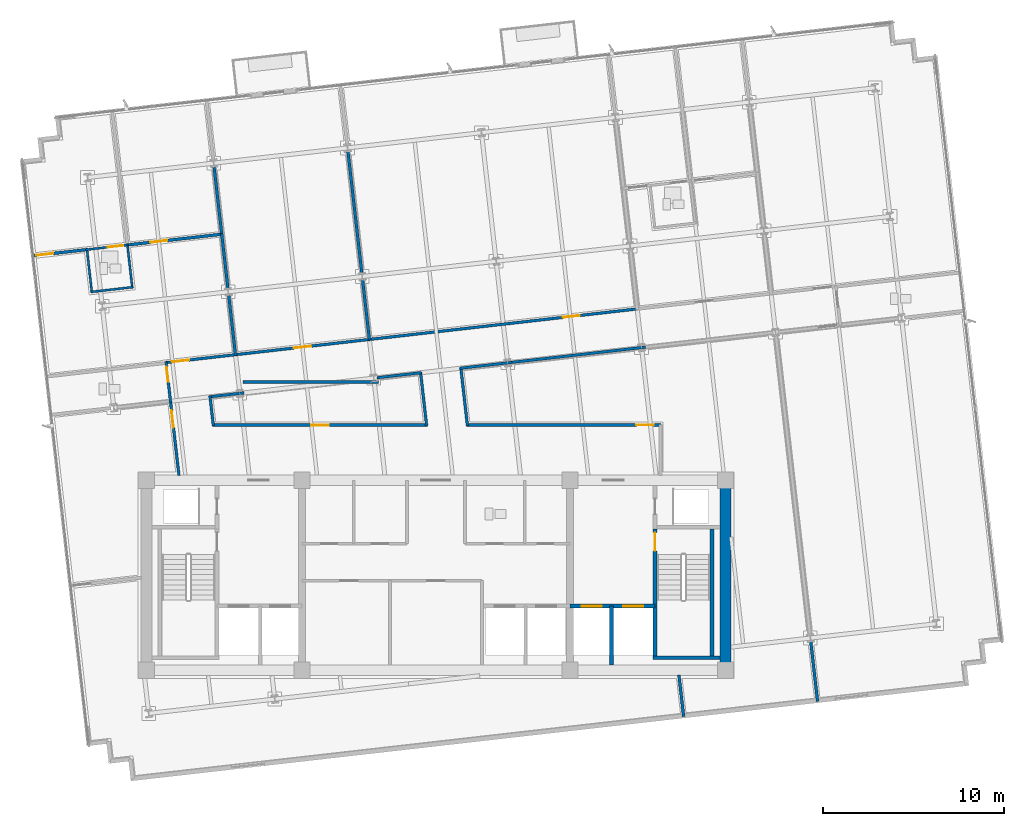
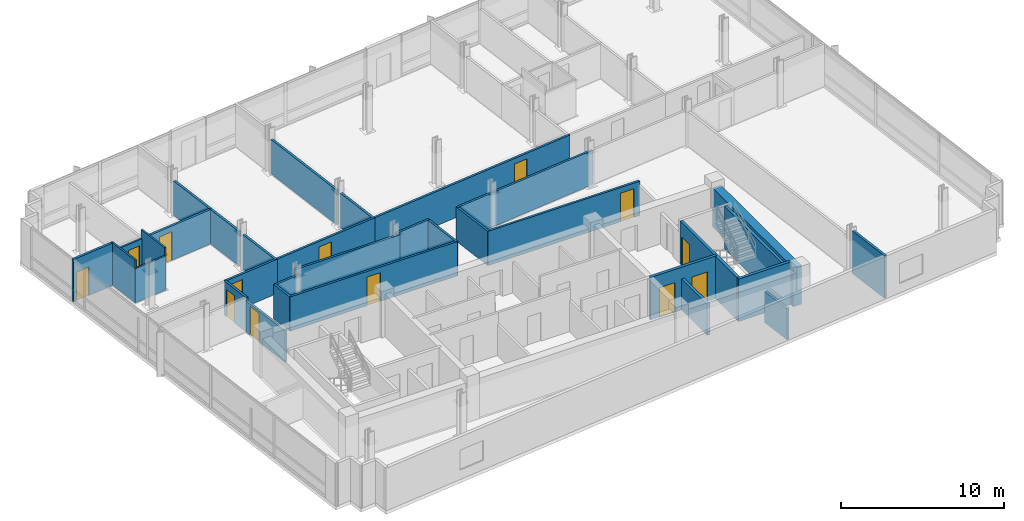
# One storey, part 9 of 15: 34 walls, 13 doors, 13 openings.
"""IFC4 building model written with IfcOpenShell, lengths in metres."""

from ifc_helpers import new_model, si_unit, direction, frame, frame_2d, origin, place, context, subcontext, project, spatial, rectangle, extrude, material, layer, layer_set, type_object, element, fill, save


model = new_model("IFC4")

# Units and contexts
model_context = context("Model", 3, precision=1e-05, world=origin(), true_north=direction((0.0, 1.0)))
body_context = subcontext(model_context, "Body", "Model", "MODEL_VIEW")
ifc_project = project(units=[si_unit("LENGTHUNIT", "METRE"), si_unit("AREAUNIT", "SQUARE_METRE"), si_unit("VOLUMEUNIT", "CUBIC_METRE"), si_unit("PLANEANGLEUNIT", "RADIAN"), si_unit("MASSUNIT", "GRAM", prefix="KILO")], contexts=[model_context])

# Site, building, storey
site_placement = place(None, origin())
site = spatial("IfcSite", under=ifc_project, at=site_placement, CompositionType="ELEMENT")
building_placement = place(site_placement, origin())
building = spatial("IfcBuilding", under=site, at=building_placement, Name="Solmavex Isthmus Hotel", CompositionType="ELEMENT")
storey_placement = place(building_placement, frame((0.0, 0.0, 229.64990234375)))
storey = spatial("IfcBuildingStorey", under=building, at=storey_placement, Name="L62", CompositionType="ELEMENT", Elevation=229.64990234375)

# Wall, opening, door
ifc_material_1 = material(Name="Gypsum plasterboard lining", Category="gypsum")
ifc_layer_1 = layer(ifc_material_1, 0.159912109375)
ifc_layer_set_1 = layer_set([ifc_layer_1], Name="Gypsum plasterboard lining")
wall_type_1 = type_object("IfcWallType", Name="IW-COMP-160", PredefinedType="PARTITIONING", material=ifc_layer_set_1)
wall_1_placement = place(storey_placement, frame((-22.2958984375, 9.89990234375, 0.0), z_axis=(0.0, 0.0, 1.0), x_axis=(0.993565909035, 0.113255394587, 0.0)))
wall_1 = element("IfcWall", 1, at=wall_1_placement, inside=storey, type_object=wall_type_1, Name="Interior Partition Wall W-L62-P022", PredefinedType="PARTITIONING", context=body_context, shape_type="SweptSolid", body=[
    extrude(rectangle(XDim=3.073974609375, YDim=0.159912109375, at=frame_2d((1.537109375, 0.0))), origin(), (0.0, 0.0, 1.0), 3.190185546875),
])
opening_1_placement = place(wall_1_placement, frame((0.2099609375, 0.0, 0.0)))
opening_1 = element("IfcOpeningElement", 2, at=opening_1_placement, cuts=wall_1, Name="Opening ID-C095", PredefinedType="OPENING", context=body_context, shape_type="SweptSolid", body=[
    extrude(rectangle(XDim=0.949951171875, YDim=2.14990234375, at=frame_2d((0.47509765625, 1.074951171875))), frame((0.0, 0.08984375, 0.0), z_axis=(0.0, -1.0, 0.0), x_axis=(1.0, 0.0, 0.0)), (0.0, 0.0, 1.0), 0.179931640625),
])
ifc_material_2 = material(Name="Hardwood timber", Category="wood")
door_type_1 = type_object("IfcDoorType", Name="IDR-FD60-0950", OperationType="NOTDEFINED", PredefinedType="DOOR", material=ifc_material_2)
door_1_placement = place(opening_1_placement, origin())
door_1 = element("IfcDoor", 3, at=door_1_placement, inside=storey, type_object=door_type_1, Name="Presidential Suite Bedroom Door L62-02", OperationType="SINGLE_SWING_RIGHT", OverallHeight=2.14990234375, OverallWidth=0.949951171875, PredefinedType="DOOR", context=body_context, shape_type="SweptSolid", body=[
    extrude(rectangle(XDim=0.949951171875, YDim=2.14990234375, at=frame_2d((0.47509765625, 1.074951171875))), frame((0.0, 0.02490234375, 0.0), z_axis=(0.0, -1.0, 0.0), x_axis=(1.0, 0.0, 0.0)), (0.0, 0.0, 1.0), 0.050048828125),
])
fill(opening_1, door_1)

wall_2_placement = place(storey_placement, frame((-17.085693359375, 10.49365234375, 0.0), z_axis=(0.0, 0.0, 1.0), x_axis=(0.993570013337, 0.113219382606, 0.0)))
wall_2 = element("IfcWall", 4, at=wall_2_placement, inside=storey, type_object=wall_type_1, Name="Interior Partition Wall W-L62-P023", PredefinedType="PARTITIONING", context=body_context, shape_type="SweptSolid", body=[
    extrude(rectangle(XDim=5.323974609375, YDim=0.159912109375, at=frame_2d((2.662109375, 0.0))), origin(), (0.0, 0.0, 1.0), 2.572509765625),
])
opening_2_placement = place(wall_2_placement, frame((1.305908203125, 0.0, 0.0)))
opening_2 = element("IfcOpeningElement", 5, at=opening_2_placement, cuts=wall_2, Name="Opening ID-C095", PredefinedType="OPENING", context=body_context, shape_type="SweptSolid", body=[
    extrude(rectangle(XDim=0.949951171875, YDim=2.14990234375, at=frame_2d((0.47509765625, 1.074951171875))), frame((0.0, 0.08984375, 0.0), z_axis=(0.0, -1.0, 0.0), x_axis=(1.0, 0.0, 0.0)), (0.0, 0.0, 1.0), 0.179931640625),
])
door_2_placement = place(opening_2_placement, origin())
door_2 = element("IfcDoor", 6, at=door_2_placement, inside=storey, type_object=door_type_1, Name="Presidential Suite Sitting Lounge Door L62-03", OperationType="SINGLE_SWING_LEFT", OverallHeight=2.14990234375, OverallWidth=0.949951171875, PredefinedType="DOOR", context=body_context, shape_type="SweptSolid", body=[
    extrude(rectangle(XDim=0.949951171875, YDim=2.14990234375, at=frame_2d((0.47509765625, 1.074951171875))), frame((0.0, 0.02490234375, 0.0), z_axis=(0.0, -1.0, 0.0), x_axis=(1.0, 0.0, 0.0)), (0.0, 0.0, 1.0), 0.050048828125),
])
fill(opening_2, door_2)

# Walls
wall_3_placement = place(storey_placement, frame((-11.840087890625, 11.131591796875, 0.0), z_axis=(0.0, 0.0, 1.0), x_axis=(0.113160011497, -0.993576777002, 0.0)))
element("IfcWall", 7, at=wall_3_placement, inside=storey, type_object=wall_type_1, Name="Interior Partition Wall W-L62-P027", PredefinedType="PARTITIONING", context=body_context, shape_type="SweptSolid", body=[
    extrude(rectangle(XDim=3.063720703125, YDim=0.159912109375, at=frame_2d((1.53173828125, 0.0))), origin(), (0.0, 0.0, 1.0), 2.572509765625),
])
wall_4_placement = place(storey_placement, frame((-11.453369140625, 7.737060546875, 0.0), z_axis=(0.0, 0.0, 1.0), x_axis=(0.113229088195, -0.993568907317, 0.0)))
element("IfcWall", 8, at=wall_4_placement, inside=storey, type_object=wall_type_1, Name="Interior Partition Wall W-L62-P028", PredefinedType="PARTITIONING", context=body_context, shape_type="SweptSolid", body=[
    extrude(rectangle(XDim=3.361572265625, YDim=0.159912109375, at=frame_2d((1.6806640625, 0.0))), origin(), (0.0, 0.0, 1.0), 2.572509765625),
])
wall_5_placement = place(storey_placement, frame((-12.262939453125, 14.84326171875, 0.0), z_axis=(0.0, 0.0, 1.0), x_axis=(0.113183882326, -0.993574058026, 0.0)))
element("IfcWall", 9, at=wall_5_placement, inside=storey, type_object=wall_type_1, Name="Interior Partition Wall W-L62-P033", PredefinedType="PARTITIONING", context=body_context, shape_type="SweptSolid", body=[
    extrude(rectangle(XDim=3.815673828125, YDim=0.159912109375, at=frame_2d((1.90771484375, 0.0))), origin(), (0.0, 0.0, 1.0), 2.572509765625),
])
wall_6_placement = place(storey_placement, frame((-4.864990234375, 15.68603515625, 0.0), z_axis=(0.0, 0.0, 1.0), x_axis=(0.11321341463, -0.993570693382, 0.0)))
element("IfcWall", 10, at=wall_6_placement, inside=storey, type_object=wall_type_1, Name="Interior Partition Wall W-L62-P035", PredefinedType="PARTITIONING", context=body_context, shape_type="SweptSolid", body=[
    extrude(rectangle(XDim=6.79931640625, YDim=0.159912109375, at=frame_2d((3.399658203125, 0.0))), origin(), (0.0, 0.0, 1.0), 2.572509765625),
])
wall_7_placement = place(storey_placement, frame((-4.05517578125, 8.580078125, 0.0), z_axis=(0.0, 0.0, 1.0), x_axis=(0.113149223935, -0.993578005555, 0.0)))
element("IfcWall", 11, at=wall_7_placement, inside=storey, type_object=wall_type_1, Name="Interior Partition Wall W-L62-P036", PredefinedType="PARTITIONING", context=body_context, shape_type="SweptSolid", body=[
    extrude(rectangle(XDim=3.361572265625, YDim=0.159912109375, at=frame_2d((1.6806640625, 0.0))), origin(), (0.0, 0.0, 1.0), 2.572509765625),
])
wall_8_placement = place(storey_placement, frame((13.42138671875, -13.26025390625, 0.0), z_axis=(0.0, 0.0, 1.0), x_axis=(0.113245950232, -0.99356698554, 0.0)))
element("IfcWall", 12, at=wall_8_placement, inside=storey, type_object=wall_type_1, Name="Interior Partition Wall W-L62-P058", PredefinedType="PARTITIONING", context=body_context, shape_type="SweptSolid", body=[
    extrude(rectangle(XDim=2.313232421875, YDim=0.159912109375, at=frame_2d((1.15673828125, 0.0))), origin(), (0.0, 0.0, 1.0), 2.3251953125),
])
wall_9_placement = place(storey_placement, frame((20.702880859375, -11.3935546875, 0.0), z_axis=(0.0, 0.0, 1.0), x_axis=(0.113243883011, -0.993567221158, 0.0)))
element("IfcWall", 13, at=wall_9_placement, inside=storey, type_object=wall_type_1, Name="Interior Partition Wall W-L62-P060", PredefinedType="PARTITIONING", context=body_context, shape_type="SweptSolid", body=[
    extrude(rectangle(XDim=3.34375, YDim=0.159912109375, at=frame_2d((1.671875, 0.0))), origin(), (0.0, 0.0, 1.0), 3.190185546875),
])

# Wall, opening, door
ifc_layer_2 = layer(ifc_material_1, 0.14990234375)
ifc_layer_set_2 = layer_set([ifc_layer_2], Name="Gypsum plasterboard lining")
wall_type_2 = type_object("IfcWallType", Name="IW-CORR-150", PredefinedType="PARTITIONING", material=ifc_layer_set_2)
wall_10_placement = place(storey_placement, frame((-14.950439453125, 3.99560546875, 0.0), z_axis=(0.0, 0.0, 1.0), x_axis=(0.993575504711, 0.11317118201, 0.0)))
wall_10 = element("IfcWall", 14, at=wall_10_placement, inside=storey, type_object=wall_type_2, Name="Interior Partition Wall W-L62-P001", PredefinedType="PARTITIONING", context=body_context, shape_type="SweptSolid", body=[
    extrude(rectangle(XDim=3.980224609375, YDim=0.14990234375, at=frame_2d((1.990234375, 0.0))), origin(), (0.0, 0.0, 1.0), 2.572509765625),
])
opening_3_placement = place(wall_10_placement, frame((0.368408203125, 0.0, 0.0)))
opening_3 = element("IfcOpeningElement", 15, at=opening_3_placement, cuts=wall_10, Name="Opening ID-C095", PredefinedType="OPENING", context=body_context, shape_type="SweptSolid", body=[
    extrude(rectangle(XDim=0.949951171875, YDim=2.14990234375, at=frame_2d((0.47509765625, 1.074951171875))), frame((0.0, 0.0849609375, 0.0), z_axis=(0.0, -1.0, 0.0), x_axis=(1.0, 0.0, 0.0)), (0.0, 0.0, 1.0), 0.169921875),
])
door_3_placement = place(opening_3_placement, origin())
door_3 = element("IfcDoor", 16, at=door_3_placement, inside=storey, type_object=door_type_1, Name="Presidential Suite Reception Foyer Door L62-01", OperationType="SINGLE_SWING_LEFT", OverallHeight=2.14990234375, OverallWidth=0.949951171875, PredefinedType="DOOR", context=body_context, shape_type="SweptSolid", body=[
    extrude(rectangle(XDim=0.949951171875, YDim=2.14990234375, at=frame_2d((0.47509765625, 1.074951171875))), frame((0.0, 0.02490234375, 0.0), z_axis=(0.0, -1.0, 0.0), x_axis=(1.0, 0.0, 0.0)), (0.0, 0.0, 1.0), 0.050048828125),
])
fill(opening_3, door_3)

wall_11_placement = place(storey_placement, frame((-11.158935546875, 4.427490234375, 0.0), z_axis=(0.0, 0.0, 1.0), x_axis=(0.993570360949, 0.113216332056, 0.0)))
wall_11 = element("IfcWall", 17, at=wall_11_placement, inside=storey, type_object=wall_type_2, Name="Interior Partition Wall W-L62-P002", PredefinedType="PARTITIONING", context=body_context, shape_type="SweptSolid", body=[
    extrude(rectangle(XDim=7.60986328125, YDim=0.14990234375, at=frame_2d((3.804931640625, 0.0))), origin(), (0.0, 0.0, 1.0), 2.572509765625),
])
opening_4_placement = place(wall_11_placement, frame((3.330078125, 0.0, 0.0)))
opening_4 = element("IfcOpeningElement", 18, at=opening_4_placement, cuts=wall_11, Name="Opening ID-C095", PredefinedType="OPENING", context=body_context, shape_type="SweptSolid", body=[
    extrude(rectangle(XDim=0.949951171875, YDim=2.14990234375, at=frame_2d((0.47509765625, 1.074951171875))), frame((0.0, 0.0849609375, 0.0), z_axis=(0.0, -1.0, 0.0), x_axis=(1.0, 0.0, 0.0)), (0.0, 0.0, 1.0), 0.169921875),
])
door_4_placement = place(opening_4_placement, origin())
door_4 = element("IfcDoor", 19, at=door_4_placement, inside=storey, type_object=door_type_1, Name="Diplomatic Dining Room Door L62-05", OperationType="SINGLE_SWING_LEFT", OverallHeight=2.14990234375, OverallWidth=0.949951171875, PredefinedType="DOOR", context=body_context, shape_type="SweptSolid", body=[
    extrude(rectangle(XDim=0.949951171875, YDim=2.14990234375, at=frame_2d((0.47509765625, 1.074951171875))), frame((0.0, 0.02490234375, 0.0), z_axis=(0.0, -1.0, 0.0), x_axis=(1.0, 0.0, 0.0)), (0.0, 0.0, 1.0), 0.050048828125),
])
fill(opening_4, door_4)

wall_12_placement = place(storey_placement, frame((-3.7607421875, 5.2705078125, 0.0), z_axis=(0.0, 0.0, 1.0), x_axis=(0.993572177632, 0.113200387969, 0.0)))
wall_12 = element("IfcWall", 20, at=wall_12_placement, inside=storey, type_object=wall_type_2, Name="Interior Partition Wall W-L62-P003", PredefinedType="PARTITIONING", context=body_context, shape_type="SweptSolid", body=[
    extrude(rectangle(XDim=15.055908203125, YDim=0.14990234375, at=frame_2d((7.52783203125, 0.0))), origin(), (0.0, 0.0, 1.0), 2.572509765625),
])
opening_5_placement = place(wall_12_placement, frame((10.826904296875, 0.0, 0.0)))
opening_5 = element("IfcOpeningElement", 21, at=opening_5_placement, cuts=wall_12, Name="Opening ID-C095", PredefinedType="OPENING", context=body_context, shape_type="SweptSolid", body=[
    extrude(rectangle(XDim=0.949951171875, YDim=2.14990234375, at=frame_2d((0.47509765625, 1.074951171875))), frame((0.0, 0.0849609375, 0.0), z_axis=(0.0, -1.0, 0.0), x_axis=(1.0, 0.0, 0.0)), (0.0, 0.0, 1.0), 0.169921875),
])
door_5_placement = place(opening_5_placement, origin())
door_5 = element("IfcDoor", 22, at=door_5_placement, inside=storey, type_object=door_type_1, Name="Corporate Briefing Office Door L62-06", OperationType="SINGLE_SWING_RIGHT", OverallHeight=2.14990234375, OverallWidth=0.949951171875, PredefinedType="DOOR", context=body_context, shape_type="SweptSolid", body=[
    extrude(rectangle(XDim=0.949951171875, YDim=2.14990234375, at=frame_2d((0.47509765625, 1.074951171875))), frame((0.0, 0.02490234375, 0.0), z_axis=(0.0, -1.0, 0.0), x_axis=(1.0, 0.0, 0.0)), (0.0, 0.0, 1.0), 0.050048828125),
])
fill(opening_5, door_5)

wall_13_placement = place(storey_placement, frame((-14.657958984375, 1.782470703125, 0.0), z_axis=(0.0, 0.0, 1.0), x_axis=(-0.113179685294, 0.993574536125, 0.0)))
wall_13 = element("IfcWall", 23, at=wall_13_placement, inside=storey, type_object=wall_type_2, Name="Interior Partition Wall W-L62-P006", PredefinedType="PARTITIONING", context=body_context, shape_type="SweptSolid", body=[
    extrude(rectangle(XDim=2.251953125, YDim=0.14990234375, at=frame_2d((1.1259765625, 0.0))), origin(), (0.0, 0.0, 1.0), 2.572509765625),
])
opening_6_placement = place(wall_13_placement, frame((1.156982421875, 0.0, 0.0)))
opening_6 = element("IfcOpeningElement", 24, at=opening_6_placement, cuts=wall_13, Name="Opening ID-R085", PredefinedType="OPENING", context=body_context, shape_type="SweptSolid", body=[
    extrude(rectangle(XDim=0.85009765625, YDim=2.050048828125, at=frame_2d((0.425048828125, 1.02490234375))), frame((0.0, 0.0849609375, 0.0), z_axis=(0.0, -1.0, 0.0), x_axis=(1.0, 0.0, 0.0)), (0.0, 0.0, 1.0), 0.169921875),
])
ifc_material_3 = material(Name="Steel ASTM A500 Grade C", Category="steel")
door_type_2 = type_object("IfcDoorType", Name="IDR-FD60-0850", OperationType="NOTDEFINED", PredefinedType="DOOR", material=ifc_material_3)
door_6_placement = place(opening_6_placement, frame((0.85009765625, 0.0, 0.0), z_axis=(0.0, 0.0, 1.0), x_axis=(-1.0, 0.0, 0.0)))
door_6 = element("IfcDoor", 25, at=door_6_placement, inside=storey, type_object=door_type_2, Name="Accessible Public Restroom WC Door L62-12", OperationType="SINGLE_SWING_RIGHT", OverallHeight=2.050048828125, OverallWidth=0.85009765625, PredefinedType="DOOR", context=body_context, shape_type="SweptSolid", body=[
    extrude(rectangle(XDim=0.85009765625, YDim=2.050048828125, at=frame_2d((0.425048828125, 1.02490234375))), frame((0.0, 0.02490234375, 0.0), z_axis=(0.0, -1.0, 0.0), x_axis=(1.0, 0.0, 0.0)), (0.0, 0.0, 1.0), 0.050048828125),
])
fill(opening_6, door_6)

# Walls
wall_14_placement = place(storey_placement, frame((-10.6064453125, 2.32666015625, 0.0), z_axis=(0.0, 0.0, 1.0), x_axis=(-0.993564486687, -0.113267871856, 0.0)))
element("IfcWall", 26, at=wall_14_placement, inside=storey, type_object=wall_type_2, Name="Interior Partition Wall W-L62-P008", PredefinedType="PARTITIONING", context=body_context, shape_type="SweptSolid", body=[
    extrude(rectangle(XDim=1.927001953125, YDim=0.14990234375, at=frame_2d((0.96337890625, 0.0))), origin(), (0.0, 0.0, 1.0), 2.572509765625),
])
wall_15_placement = place(storey_placement, frame((-12.48583984375, 2.15283203125, 0.0), z_axis=(0.0, 0.0, 1.0), x_axis=(0.113121752139, -0.993581133674, 0.0)))
element("IfcWall", 27, at=wall_15_placement, inside=storey, type_object=wall_type_2, Name="Interior Partition Wall W-L62-P009", PredefinedType="PARTITIONING", context=body_context, shape_type="SweptSolid", body=[
    extrude(rectangle(XDim=1.653076171875, YDim=0.14990234375, at=frame_2d((0.82666015625, 0.0))), origin(), (0.0, 0.0, 1.0), 2.572509765625),
])

# Wall, opening, door
wall_16_placement = place(storey_placement, frame((-12.34326171875, 0.550048828125, 0.0), z_axis=(0.0, 0.0, 1.0), x_axis=(1.0, 0.0, 0.0)))
wall_16 = element("IfcWall", 28, at=wall_16_placement, inside=storey, type_object=wall_type_2, Name="Interior Partition Wall W-L62-P010", PredefinedType="PARTITIONING", context=body_context, shape_type="SweptSolid", body=[
    extrude(rectangle(XDim=11.86279296875, YDim=0.14990234375, at=frame_2d((5.931396484375, 0.0))), origin(), (0.0, 0.0, 1.0), 2.572509765625),
])
opening_7_placement = place(wall_16_placement, frame((5.456298828125, 0.0, 0.0)))
opening_7 = element("IfcOpeningElement", 29, at=opening_7_placement, cuts=wall_16, Name="Opening ID-C095", PredefinedType="OPENING", context=body_context, shape_type="SweptSolid", body=[
    extrude(rectangle(XDim=0.949951171875, YDim=2.14990234375, at=frame_2d((0.47509765625, 1.074951171875))), frame((0.0, 0.0849609375, 0.0), z_axis=(0.0, -1.0, 0.0), x_axis=(1.0, 0.0, 0.0)), (0.0, 0.0, 1.0), 0.169921875),
])
door_7_placement = place(opening_7_placement, origin())
door_7 = element("IfcDoor", 30, at=door_7_placement, inside=storey, type_object=door_type_1, Name="Presidential Galley Kitchen Door L62-14", OperationType="SINGLE_SWING_RIGHT", OverallHeight=2.14990234375, OverallWidth=0.949951171875, PredefinedType="DOOR", context=body_context, shape_type="SweptSolid", body=[
    extrude(rectangle(XDim=0.949951171875, YDim=2.14990234375, at=frame_2d((0.47509765625, 1.074951171875))), frame((0.0, 0.02490234375, 0.0), z_axis=(0.0, -1.0, 0.0), x_axis=(1.0, 0.0, 0.0)), (0.0, 0.0, 1.0), 0.050048828125),
])
fill(opening_7, door_7)

# Walls
wall_17_placement = place(storey_placement, frame((-0.515869140625, 0.51025390625, 0.0), z_axis=(0.0, 0.0, 1.0), x_axis=(-0.113283799092, 0.993562670828, 0.0)))
element("IfcWall", 31, at=wall_17_placement, inside=storey, type_object=wall_type_2, Name="Interior Partition Wall W-L62-P011", PredefinedType="PARTITIONING", context=body_context, shape_type="SweptSolid", body=[
    extrude(rectangle(XDim=2.987060546875, YDim=0.14990234375, at=frame_2d((1.49365234375, 0.0))), origin(), (0.0, 0.0, 1.0), 2.572509765625),
])
wall_18_placement = place(storey_placement, frame((-0.809814453125, 3.44287109375, 0.0), z_axis=(0.0, 0.0, 1.0), x_axis=(-0.993568355418, -0.113233930922, 0.0)))
element("IfcWall", 32, at=wall_18_placement, inside=storey, type_object=wall_type_2, Name="Interior Partition Wall W-L62-P012", PredefinedType="PARTITIONING", context=body_context, shape_type="SweptSolid", body=[
    extrude(rectangle(XDim=2.466552734375, YDim=0.14990234375, at=frame_2d((1.2333984375, 0.0))), origin(), (0.0, 0.0, 1.0), 2.572509765625),
])
wall_19_placement = place(storey_placement, frame((-3.180908203125, 2.9287109375, 0.0), z_axis=(0.0, 0.0, 1.0), x_axis=(-1.0, 0.0, 0.0)))
element("IfcWall", 33, at=wall_19_placement, inside=storey, type_object=wall_type_2, Name="Interior Partition Wall W-L62-P013", PredefinedType="PARTITIONING", context=body_context, shape_type="SweptSolid", body=[
    extrude(rectangle(XDim=7.477783203125, YDim=0.14990234375, at=frame_2d((3.73876953125, 0.0))), origin(), (0.0, 0.0, 1.0), 2.572509765625),
])

# Wall, opening, door
wall_20_placement = place(storey_placement, frame((-14.19970703125, -2.23974609375, 0.0), z_axis=(0.0, 0.0, 1.0), x_axis=(-0.11319839611, 0.993572404568, 0.0)))
wall_20 = element("IfcWall", 34, at=wall_20_placement, inside=storey, type_object=wall_type_2, Name="Interior Partition Wall W-L62-P014", PredefinedType="PARTITIONING", context=body_context, shape_type="SweptSolid", body=[
    extrude(rectangle(XDim=4.212158203125, YDim=0.14990234375, at=frame_2d((2.10595703125, 0.0))), origin(), (0.0, 0.0, 1.0), 2.3251953125),
])
opening_8_placement = place(wall_20_placement, frame((2.67236328125, 0.0, 0.0)))
opening_8 = element("IfcOpeningElement", 35, at=opening_8_placement, cuts=wall_20, Name="Opening ID-C095", PredefinedType="OPENING", context=body_context, shape_type="SweptSolid", body=[
    extrude(rectangle(XDim=0.949951171875, YDim=2.14990234375, at=frame_2d((0.47509765625, 1.074951171875))), frame((0.0, 0.0849609375, 0.0), z_axis=(0.0, -1.0, 0.0), x_axis=(1.0, 0.0, 0.0)), (0.0, 0.0, 1.0), 0.169921875),
])
door_8_placement = place(opening_8_placement, frame((0.949951171875, 0.0, 0.0), z_axis=(0.0, 0.0, 1.0), x_axis=(-1.0, 0.0, 0.0)))
door_8 = element("IfcDoor", 36, at=door_8_placement, inside=storey, type_object=door_type_1, Name="Protocol Meeting Room Door L62-15", OperationType="SINGLE_SWING_LEFT", OverallHeight=2.14990234375, OverallWidth=0.949951171875, PredefinedType="DOOR", context=body_context, shape_type="SweptSolid", body=[
    extrude(rectangle(XDim=0.949951171875, YDim=2.14990234375, at=frame_2d((0.47509765625, 1.074951171875))), frame((0.0, 0.02490234375, 0.0), z_axis=(0.0, -1.0, 0.0), x_axis=(1.0, 0.0, 0.0)), (0.0, 0.0, 1.0), 0.050048828125),
])
fill(opening_8, door_8)

# Walls
wall_21_placement = place(storey_placement, frame((4.18994140625, 4.012451171875, 0.0), z_axis=(0.0, 0.0, 1.0), x_axis=(-0.99356987962, -0.113220556049, 0.0)))
element("IfcWall", 37, at=wall_21_placement, inside=storey, type_object=wall_type_2, Name="Interior Partition Wall W-L62-P015", PredefinedType="PARTITIONING", context=body_context, shape_type="SweptSolid", body=[
    extrude(rectangle(XDim=2.872314453125, YDim=0.14990234375, at=frame_2d((1.43603515625, 0.0))), origin(), (0.0, 0.0, 1.0), 2.572509765625),
])
wall_22_placement = place(storey_placement, frame((1.37158203125, 3.731689453125, 0.0), z_axis=(0.0, 0.0, 1.0), x_axis=(0.113174940517, -0.993575076599, 0.0)))
element("IfcWall", 38, at=wall_22_placement, inside=storey, type_object=wall_type_2, Name="Interior Partition Wall W-L62-P016", PredefinedType="PARTITIONING", context=body_context, shape_type="SweptSolid", body=[
    extrude(rectangle(XDim=3.2421875, YDim=0.14990234375, at=frame_2d((1.62109375, 0.0))), origin(), (0.0, 0.0, 1.0), 2.572509765625),
])

# Wall, opening, door
wall_23_placement = place(storey_placement, frame((1.694091796875, 0.550048828125, 0.0), z_axis=(0.0, 0.0, 1.0), x_axis=(1.0, 0.0, 0.0)))
wall_23 = element("IfcWall", 39, at=wall_23_placement, inside=storey, type_object=wall_type_2, Name="Interior Partition Wall W-L62-P017", PredefinedType="PARTITIONING", context=body_context, shape_type="SweptSolid", body=[
    extrude(rectangle(XDim=10.745849609375, YDim=0.14990234375, at=frame_2d((5.373046875, 0.0))), origin(), (0.0, 0.0, 1.0), 2.572509765625),
])
opening_9_placement = place(wall_23_placement, frame((9.377685546875, 0.0, 0.0)))
opening_9 = element("IfcOpeningElement", 40, at=opening_9_placement, cuts=wall_23, Name="Opening ID-C095", PredefinedType="OPENING", context=body_context, shape_type="SweptSolid", body=[
    extrude(rectangle(XDim=0.949951171875, YDim=2.14990234375, at=frame_2d((0.47509765625, 1.074951171875))), frame((0.0, 0.0849609375, 0.0), z_axis=(0.0, -1.0, 0.0), x_axis=(1.0, 0.0, 0.0)), (0.0, 0.0, 1.0), 0.169921875),
])
door_9_placement = place(opening_9_placement, frame((0.949951171875, 0.0, 0.0), z_axis=(0.0, 0.0, 1.0), x_axis=(-1.0, 0.0, 0.0)))
door_9 = element("IfcDoor", 41, at=door_9_placement, inside=storey, type_object=door_type_1, Name="Catering Servery Kitchen Door L62-17", OperationType="SINGLE_SWING_LEFT", OverallHeight=2.14990234375, OverallWidth=0.949951171875, PredefinedType="DOOR", context=body_context, shape_type="SweptSolid", body=[
    extrude(rectangle(XDim=0.949951171875, YDim=2.14990234375, at=frame_2d((0.47509765625, 1.074951171875))), frame((0.0, 0.02490234375, 0.0), z_axis=(0.0, -1.0, 0.0), x_axis=(1.0, 0.0, 0.0)), (0.0, 0.0, 1.0), 0.050048828125),
])
fill(opening_9, door_9)

# Walls
wall_24_placement = place(storey_placement, frame((11.587890625, 4.855224609375, 0.0), z_axis=(0.0, 0.0, 1.0), x_axis=(-0.993575418148, -0.113171941983, 0.0)))
element("IfcWall", 42, at=wall_24_placement, inside=storey, type_object=wall_type_2, Name="Interior Partition Wall W-L62-P019", PredefinedType="PARTITIONING", context=body_context, shape_type="SweptSolid", body=[
    extrude(rectangle(XDim=7.49853515625, YDim=0.14990234375, at=frame_2d((3.749267578125, 0.0))), origin(), (0.0, 0.0, 1.0), 2.572509765625),
])
ifc_layer_3 = layer(ifc_material_1, 0.1201171875)
ifc_layer_set_3 = layer_set([ifc_layer_3], Name="Gypsum plasterboard lining")
wall_type_3 = type_object("IfcWallType", Name="IW-PART-120", PredefinedType="PARTITIONING", material=ifc_layer_set_3)
wall_25_placement = place(storey_placement, frame((-19.285888671875, 10.283203125, 0.0), z_axis=(0.0, 0.0, 1.0), x_axis=(0.113132867976, -0.993579868045, 0.0)))
element("IfcWall", 43, at=wall_25_placement, inside=storey, type_object=wall_type_3, Name="Interior Partition Wall W-L62-P024", PredefinedType="PARTITIONING", context=body_context, shape_type="SweptSolid", body=[
    extrude(rectangle(XDim=2.429931640625, YDim=0.1201171875, at=frame_2d((1.21484375, 0.0))), origin(), (0.0, 0.0, 1.0), 3.190185546875),
])
wall_26_placement = place(storey_placement, frame((-19.05517578125, 7.904052734375, 0.0), z_axis=(0.0, 0.0, 1.0), x_axis=(0.99357583204, 0.113168308226, 0.0)))
element("IfcWall", 44, at=wall_26_placement, inside=storey, type_object=wall_type_3, Name="Interior Partition Wall W-L62-P025", PredefinedType="PARTITIONING", context=body_context, shape_type="SweptSolid", body=[
    extrude(rectangle(XDim=2.329833984375, YDim=0.1201171875, at=frame_2d((1.1650390625, 0.0))), origin(), (0.0, 0.0, 1.0), 2.5576171875),
])
wall_27_placement = place(storey_placement, frame((-16.775390625, 8.12353515625, 0.0), z_axis=(0.0, 0.0, 1.0), x_axis=(-0.113232053563, 0.993568569373, 0.0)))
element("IfcWall", 45, at=wall_27_placement, inside=storey, type_object=wall_type_3, Name="Interior Partition Wall W-L62-P026", PredefinedType="PARTITIONING", context=body_context, shape_type="SweptSolid", body=[
    extrude(rectangle(XDim=2.429931640625, YDim=0.1201171875, at=frame_2d((1.21484375, 0.0))), origin(), (0.0, 0.0, 1.0), 3.190185546875),
])

# Wall, opening, door
wall_28_placement = place(storey_placement, frame((-17.006103515625, 10.502685546875, 0.0), z_axis=(0.0, 0.0, 1.0), x_axis=(-0.99357109585, -0.113209882477, 0.0)))
wall_28 = element("IfcWall", 46, at=wall_28_placement, inside=storey, type_object=wall_type_3, Name="Interior Partition Wall W-L62-P031", PredefinedType="PARTITIONING", context=body_context, shape_type="SweptSolid", body=[
    extrude(rectangle(XDim=2.3720703125, YDim=0.1201171875, at=frame_2d((1.18603515625, 0.0))), origin(), (0.0, 0.0, 1.0), 2.5576171875),
])
opening_10_placement = place(wall_28_placement, frame((0.27978515625, 0.0, 0.0)))
opening_10 = element("IfcOpeningElement", 47, at=opening_10_placement, cuts=wall_28, Name="Opening ID-U085", PredefinedType="OPENING", context=body_context, shape_type="SweptSolid", body=[
    extrude(rectangle(XDim=0.85009765625, YDim=2.10009765625, at=frame_2d((0.425048828125, 1.050048828125))), frame((0.0, 0.070068359375, 0.0), z_axis=(0.0, -1.0, 0.0), x_axis=(1.0, 0.0, 0.0)), (0.0, 0.0, 1.0), 0.14013671875),
])
door_type_3 = type_object("IfcDoorType", Name="IDR-UNR-0850", OperationType="NOTDEFINED", PredefinedType="DOOR", material=ifc_material_2)
door_10_placement = place(opening_10_placement, frame((0.85009765625, 0.0, 0.0), z_axis=(0.0, 0.0, 1.0), x_axis=(-1.0, 0.0, 0.0)))
door_10 = element("IfcDoor", 48, at=door_10_placement, inside=storey, type_object=door_type_3, Name="En-suite Bathroom Door L62-04", OperationType="SINGLE_SWING_RIGHT", OverallHeight=2.10009765625, OverallWidth=0.85009765625, PredefinedType="DOOR", context=body_context, shape_type="SweptSolid", body=[
    extrude(rectangle(XDim=0.85009765625, YDim=2.10009765625, at=frame_2d((0.425048828125, 1.050048828125))), frame((0.0, 0.02490234375, 0.0), z_axis=(0.0, -1.0, 0.0), x_axis=(1.0, 0.0, 0.0)), (0.0, 0.0, 1.0), 0.050048828125),
])
fill(opening_10, door_10)

# Wall, openings, doors
ifc_material_4 = material(Name="Concrete C40/50", Category="concrete")
ifc_layer_4 = layer(ifc_material_4, 0.199951171875)
ifc_layer_set_4 = layer_set([ifc_layer_4], Name="Concrete C40/50")
wall_type_4 = type_object("IfcWallType", Name="IW-SHAFT-200", PredefinedType="PARTITIONING", material=ifc_layer_set_4)
wall_29_placement = place(storey_placement, frame((7.39990234375, -9.449951171875, 0.0), z_axis=(0.0, 0.0, 1.0), x_axis=(1.0, 0.0, 0.0)))
wall_29 = element("IfcWall", 49, at=wall_29_placement, inside=storey, type_object=wall_type_4, Name="Interior Partition Wall W-L62-FFLE-S", PredefinedType="PARTITIONING", context=body_context, shape_type="SweptSolid", body=[
    extrude(rectangle(XDim=4.7001953125, YDim=0.199951171875, at=frame_2d((2.35009765625, 0.0))), origin(), (0.0, 0.0, 1.0), 3.190185546875),
])
opening_11_placement = place(wall_29_placement, frame((2.949951171875, 0.0, 0.0)))
opening_11 = element("IfcOpeningElement", 50, at=opening_11_placement, cuts=wall_29, Name="Opening LD-FF", PredefinedType="OPENING", context=body_context, shape_type="SweptSolid", body=[
    extrude(rectangle(XDim=1.10009765625, YDim=2.199951171875, at=frame_2d((0.550048828125, 1.10009765625))), frame((0.0, 0.10986328125, 0.0), z_axis=(0.0, -1.0, 0.0), x_axis=(1.0, 0.0, 0.0)), (0.0, 0.0, 1.0), 0.219970703125),
])
opening_12_placement = place(wall_29_placement, frame((0.64990234375, 0.0, 0.0)))
opening_12 = element("IfcOpeningElement", 51, at=opening_12_placement, cuts=wall_29, Name="Opening LD-SV", PredefinedType="OPENING", context=body_context, shape_type="SweptSolid", body=[
    extrude(rectangle(XDim=1.10009765625, YDim=2.199951171875, at=frame_2d((0.550048828125, 1.10009765625))), frame((0.0, 0.10986328125, 0.0), z_axis=(0.0, -1.0, 0.0), x_axis=(1.0, 0.0, 0.0)), (0.0, 0.0, 1.0), 0.219970703125),
])
ifc_material_5 = material(Name="Stainless steel 316", Category="steel")
door_type_4 = type_object("IfcDoorType", Name="LDR-FF-1100", OperationType="NOTDEFINED", PredefinedType="DOOR", material=ifc_material_5)
door_11_placement = place(opening_11_placement, origin())
door_11 = element("IfcDoor", 52, at=door_11_placement, inside=storey, type_object=door_type_4, Name="Lift Landing Door FFL-2 L62", OperationType="SLIDING_TO_LEFT", OverallHeight=2.199951171875, OverallWidth=1.10009765625, PredefinedType="DOOR", context=body_context, shape_type="SweptSolid", body=[
    extrude(rectangle(XDim=1.10009765625, YDim=2.199951171875, at=frame_2d((0.550048828125, 1.10009765625))), frame((0.0, 0.02490234375, 0.0), z_axis=(0.0, -1.0, 0.0), x_axis=(1.0, 0.0, 0.0)), (0.0, 0.0, 1.0), 0.050048828125),
])
fill(opening_11, door_11)
door_type_5 = type_object("IfcDoorType", Name="LDR-SV-1100", OperationType="NOTDEFINED", PredefinedType="DOOR", material=ifc_material_5)
door_12_placement = place(opening_12_placement, origin())
door_12 = element("IfcDoor", 53, at=door_12_placement, inside=storey, type_object=door_type_5, Name="Lift Landing Door SVL-2 L62", OperationType="SLIDING_TO_RIGHT", OverallHeight=2.199951171875, OverallWidth=1.10009765625, PredefinedType="DOOR", context=body_context, shape_type="SweptSolid", body=[
    extrude(rectangle(XDim=1.10009765625, YDim=2.199951171875, at=frame_2d((0.550048828125, 1.10009765625))), frame((0.0, 0.02490234375, 0.0), z_axis=(0.0, -1.0, 0.0), x_axis=(1.0, 0.0, 0.0)), (0.0, 0.0, 1.0), 0.050048828125),
])
fill(opening_12, door_12)

# Walls
wall_30_placement = place(storey_placement, frame((9.699951171875, -12.699951171875, 0.0), z_axis=(0.0, 0.0, 1.0), x_axis=(0.0, 1.0, 0.0)))
element("IfcWall", 54, at=wall_30_placement, inside=storey, type_object=wall_type_4, Name="Interior Partition Wall W-L62-FFLE-M", PredefinedType="PARTITIONING", context=body_context, shape_type="SweptSolid", body=[
    extrude(rectangle(XDim=3.25, YDim=0.199951171875, at=frame_2d((1.625, 0.0))), origin(), (0.0, 0.0, 1.0), 2.3251953125),
])
ifc_material_6 = material(Name="Concrete C50/60", Category="concrete")
ifc_layer_5 = layer(ifc_material_6, 0.60009765625)
ifc_layer_set_5 = layer_set([ifc_layer_5], Name="Concrete C50/60")
wall_type_5 = type_object("IfcWallType", Name="WALL-CW-600", PredefinedType="SHEAR", material=ifc_layer_set_5)
wall_31_placement = place(storey_placement, frame((16.0, -12.699951171875, 0.0), z_axis=(0.0, 0.0, 1.0), x_axis=(0.0, 1.0, 0.0)))
element("IfcWall", 55, at=wall_31_placement, inside=storey, type_object=wall_type_5, Name="Core Shear Wall East L62", PredefinedType="SHEAR", context=body_context, shape_type="SweptSolid", body=[
    extrude(rectangle(XDim=9.89990234375, YDim=0.60009765625, at=frame_2d((4.949951171875, 0.0))), origin(), (0.0, 0.0, 1.0), 2.91015625),
])
ifc_layer_6 = layer(ifc_material_4, 0.199951171875)
ifc_layer_set_6 = layer_set([ifc_layer_6], Name="Concrete C40/50")
wall_type_6 = type_object("IfcWallType", Name="WALL-SW-200", PredefinedType="SOLIDWALL", material=ifc_layer_set_6)
wall_32_placement = place(storey_placement, frame((12.0, -12.300048828125, 0.0), z_axis=(0.0, 0.0, 1.0), x_axis=(1.0, 0.0, 0.0)))
element("IfcWall", 56, at=wall_32_placement, inside=storey, type_object=wall_type_6, Name="Stairwell Structural Wall SW-L62-ST2-S", PredefinedType="SOLIDWALL", context=body_context, shape_type="SweptSolid", body=[
    extrude(rectangle(XDim=3.699951171875, YDim=0.199951171875, at=frame_2d((1.85009765625, 0.0))), origin(), (0.0, 0.0, 1.0), 3.190185546875),
])

# Wall, opening, door
wall_33_placement = place(storey_placement, frame((12.10009765625, -12.199951171875, 0.0), z_axis=(0.0, 0.0, 1.0), x_axis=(0.0, 1.0, 0.0)))
wall_33 = element("IfcWall", 57, at=wall_33_placement, inside=storey, type_object=wall_type_6, Name="Stairwell Structural Wall SW-L62-ST2-W", PredefinedType="SOLIDWALL", context=body_context, shape_type="SweptSolid", body=[
    extrude(rectangle(XDim=7.0, YDim=0.199951171875, at=frame_2d((3.5, 0.0))), origin(), (0.0, 0.0, 1.0), 3.190185546875),
])
opening_13_placement = place(wall_33_placement, frame((5.800048828125, 0.0, 0.0)))
opening_13 = element("IfcOpeningElement", 58, at=opening_13_placement, cuts=wall_33, Name="Opening ID-F100", PredefinedType="OPENING", context=body_context, shape_type="SweptSolid", body=[
    extrude(rectangle(XDim=1.0, YDim=2.10009765625, at=frame_2d((0.5, 1.050048828125))), frame((0.0, 0.10986328125, 0.0), z_axis=(0.0, -1.0, 0.0), x_axis=(1.0, 0.0, 0.0)), (0.0, 0.0, 1.0), 0.219970703125),
])
door_type_6 = type_object("IfcDoorType", Name="IDR-FD90-1000", OperationType="NOTDEFINED", PredefinedType="DOOR", material=ifc_material_3)
door_13_placement = place(opening_13_placement, origin())
door_13 = element("IfcDoor", 59, at=door_13_placement, inside=storey, type_object=door_type_6, Name="Stair ST-2 Fire Door L62", OperationType="SINGLE_SWING_RIGHT", OverallHeight=2.10009765625, OverallWidth=1.0, PredefinedType="DOOR", context=body_context, shape_type="SweptSolid", body=[
    extrude(rectangle(XDim=1.0, YDim=2.10009765625, at=frame_2d((0.5, 1.050048828125))), frame((0.0, 0.02490234375, 0.0), z_axis=(0.0, -1.0, 0.0), x_axis=(1.0, 0.0, 0.0)), (0.0, 0.0, 1.0), 0.050048828125),
])
fill(opening_13, door_13)

# Wall
wall_34_placement = place(storey_placement, frame((15.25, -12.199951171875, 0.0), z_axis=(0.0, 0.0, 1.0), x_axis=(0.0, 1.0, 0.0)))
element("IfcWall", 60, at=wall_34_placement, inside=storey, type_object=wall_type_6, Name="Stairwell Structural Wall SW-L62-ST2-E", PredefinedType="SOLIDWALL", context=body_context, shape_type="SweptSolid", body=[
    extrude(rectangle(XDim=7.0, YDim=0.199951171875, at=frame_2d((3.5, 0.0))), origin(), (0.0, 0.0, 1.0), 3.190185546875),
])

save(model, "model.ifc")
